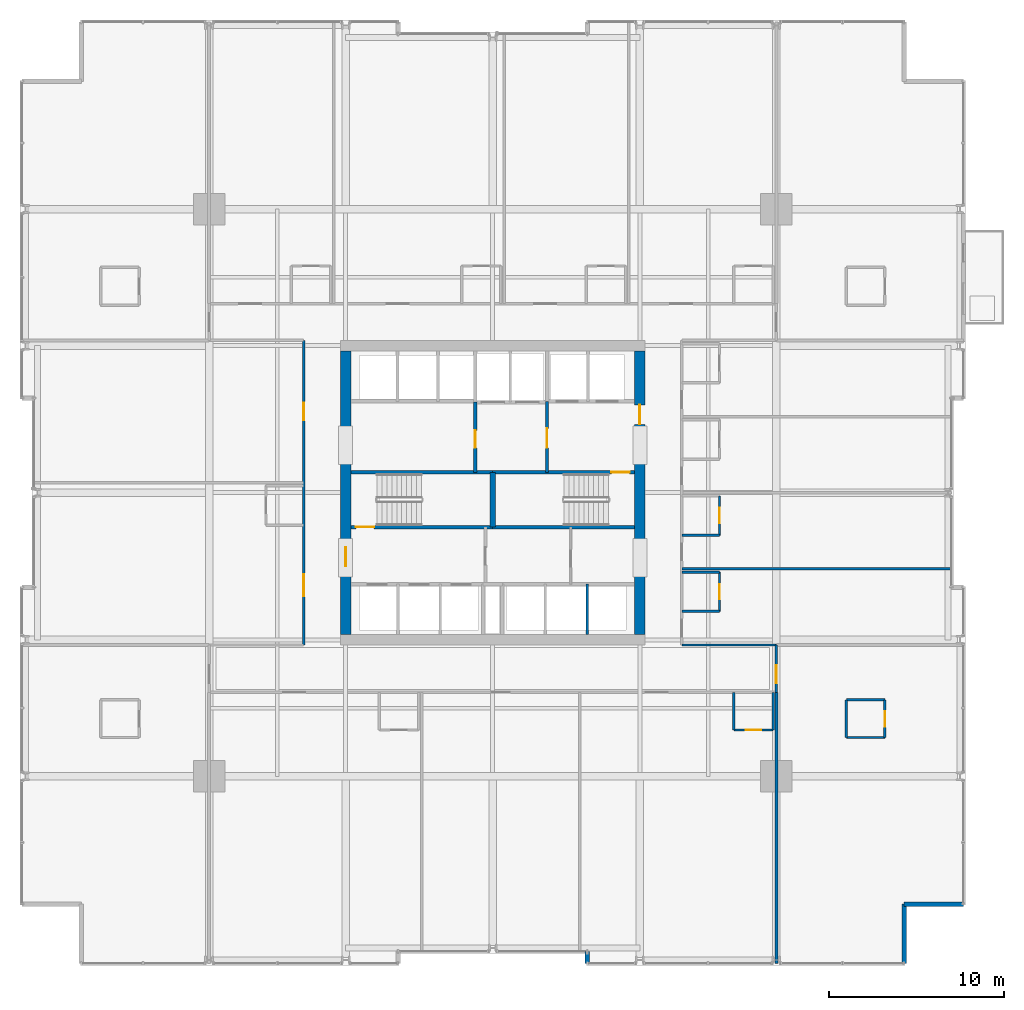
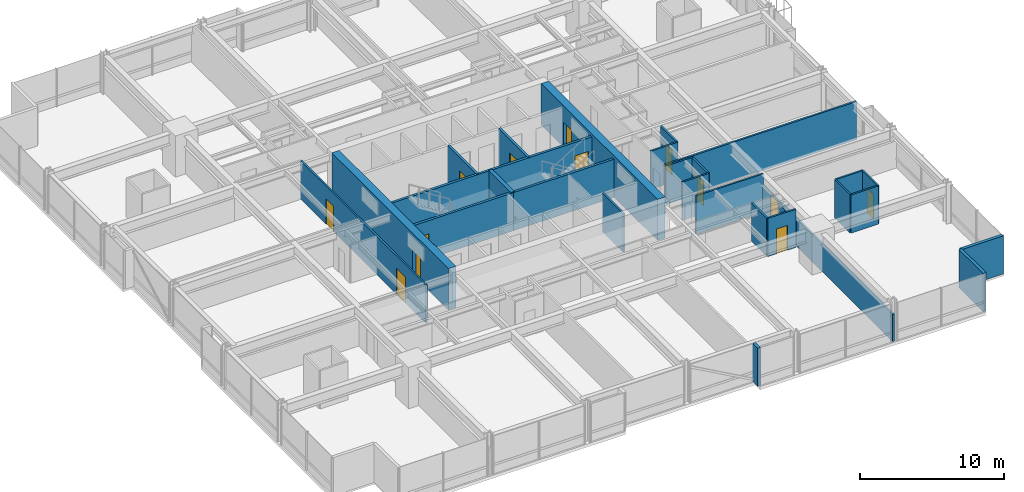
# One storey, part 31 of 37: 30 walls, 13 doors, 13 openings.
"""IFC4 building model written with IfcOpenShell, lengths in metres."""

from ifc_helpers import new_model, si_unit, direction, frame, frame_2d, origin, place, context, subcontext, project, spatial, rectangle, extrude, material, layer, layer_set, type_object, element, fill, save


model = new_model("IFC4")

# Units and contexts
model_context = context("Model", 3, precision=1e-05, world=origin(), true_north=direction((0.0, 1.0)))
body_context = subcontext(model_context, "Body", "Model", "MODEL_VIEW")
ifc_project = project(units=[si_unit("LENGTHUNIT", "METRE"), si_unit("AREAUNIT", "SQUARE_METRE"), si_unit("VOLUMEUNIT", "CUBIC_METRE"), si_unit("PLANEANGLEUNIT", "RADIAN"), si_unit("MASSUNIT", "GRAM", prefix="KILO")], contexts=[model_context])

# Site, building, storey
site_placement = place(None, origin())
site = spatial("IfcSite", under=ifc_project, at=site_placement, CompositionType="ELEMENT")
building_placement = place(site_placement, origin())
building = spatial("IfcBuilding", under=site, at=building_placement, Name="Drelvath Grand Hotel", CompositionType="ELEMENT")
storey_placement = place(building_placement, frame((0.0, 0.0, 43.699951171875)))
storey = spatial("IfcBuildingStorey", under=building, at=storey_placement, Name="L09", CompositionType="ELEMENT", Elevation=43.699951171875)

# Wall, opening, door
ifc_material_1 = material(Name="Concrete C40/50", Category="concrete")
ifc_layer_1 = layer(ifc_material_1, 0.199951171875)
ifc_layer_set_1 = layer_set([ifc_layer_1], Name="Concrete C40/50")
wall_type_1 = type_object("IfcWallType", Name="Core Shaft Fire Wall 200", PredefinedType="SOLIDWALL", material=ifc_layer_set_1)
wall_1_placement = place(storey_placement, frame((-8.10009765625, 25.0400390625, 0.0), z_axis=(0.0, 0.0, 1.0), x_axis=(1.0, 0.0, 0.0)))
wall_1 = element("IfcWall", 1, at=wall_1_placement, inside=storey, type_object=wall_type_1, Name="L09 Stair ST-1 South Wall", PredefinedType="SOLIDWALL", context=body_context, shape_type="SweptSolid", body=[
    extrude(rectangle(XDim=8.10009765625, YDim=0.199951171875, at=frame_2d((4.050048828125, 0.0))), origin(), (0.0, 0.0, 1.0), 3.239990234375),
])
opening_1_placement = place(wall_1_placement, frame((0.280029296875, 0.0, 0.0)))
opening_1 = element("IfcOpeningElement", 2, at=opening_1_placement, cuts=wall_1, Name="Opening D-T1G2-001", PredefinedType="OPENING", context=body_context, shape_type="SweptSolid", body=[
    extrude(rectangle(XDim=1.050048828125, YDim=2.10009765625, at=frame_2d((0.52490234375, 1.050048828125))), frame((0.0, 0.10986328125, 0.0), z_axis=(0.0, -1.0, 0.0), x_axis=(1.0, 0.0, 0.0)), (0.0, 0.0, 1.0), 0.219970703125),
])
ifc_material_2 = material(Name="Painted Steel S275", Category="steel")
door_type_1 = type_object("IfcDoorType", Name="Tower Stairwell Fire Door 1050x2100", OperationType="NOTDEFINED", PredefinedType="DOOR", material=ifc_material_2)
door_1_placement = place(opening_1_placement, origin())
door_1 = element("IfcDoor", 3, at=door_1_placement, inside=storey, type_object=door_type_1, Name="L09 Exit Stair ST-1 Door", OperationType="SINGLE_SWING_LEFT", OverallHeight=2.10009765625, OverallWidth=1.050048828125, PredefinedType="DOOR", context=body_context, shape_type="SweptSolid", body=[
    extrude(rectangle(XDim=1.050048828125, YDim=2.10009765625, at=frame_2d((0.52490234375, 1.050048828125))), frame((0.0, 0.02490234375, 0.0), z_axis=(0.0, -1.0, 0.0), x_axis=(1.0, 0.0, 0.0)), (0.0, 0.0, 1.0), 0.050048828125),
])
fill(opening_1, door_1)

# Walls
for number, where, z_axis, x_axis, name in (
    (4, (-8.10009765625, 28.159912109375, 0.0), (0.0, 0.0, 1.0), (1.0, 0.0, 0.0), "L09 Stair ST-1 North Wall"),
    (5, (0.0, 25.0400390625, 0.0), (0.0, 0.0, 1.0), (1.0, 0.0, 0.0), "L09 Stair ST-2 South Wall"),
):
    element("IfcWall", number, at=place(storey_placement, frame(where, z_axis=z_axis, x_axis=x_axis)), inside=storey, type_object=wall_type_1, Name=name, PredefinedType="SOLIDWALL", context=body_context, shape_type="SweptSolid", body=[
        extrude(rectangle(XDim=8.10009765625, YDim=0.199951171875, at=frame_2d((4.050048828125, 0.0))), origin(), (0.0, 0.0, 1.0), 3.239990234375),
    ])

# Wall, opening, door
wall_2_placement = place(storey_placement, frame((8.10009765625, 28.159912109375, 0.0), z_axis=(0.0, 0.0, 1.0), x_axis=(-1.0, 0.0, 0.0)))
wall_2 = element("IfcWall", 6, at=wall_2_placement, inside=storey, type_object=wall_type_1, Name="L09 Stair ST-2 North Wall", PredefinedType="SOLIDWALL", context=body_context, shape_type="SweptSolid", body=[
    extrude(rectangle(XDim=8.10009765625, YDim=0.199951171875, at=frame_2d((4.050048828125, 0.0))), origin(), (0.0, 0.0, 1.0), 3.239990234375),
])
opening_2_placement = place(wall_2_placement, frame((0.280029296875, 0.0, 0.0)))
opening_2 = element("IfcOpeningElement", 7, at=opening_2_placement, cuts=wall_2, Name="Opening D-T1G2-002", PredefinedType="OPENING", context=body_context, shape_type="SweptSolid", body=[
    extrude(rectangle(XDim=1.050048828125, YDim=2.10009765625, at=frame_2d((0.52490234375, 1.050048828125))), frame((0.0, 0.10986328125, 0.0), z_axis=(0.0, -1.0, 0.0), x_axis=(1.0, 0.0, 0.0)), (0.0, 0.0, 1.0), 0.219970703125),
])
door_2_placement = place(opening_2_placement, origin())
door_2 = element("IfcDoor", 8, at=door_2_placement, inside=storey, type_object=door_type_1, Name="L09 Exit Stair ST-2 Door", OperationType="SINGLE_SWING_LEFT", OverallHeight=2.10009765625, OverallWidth=1.050048828125, PredefinedType="DOOR", context=body_context, shape_type="SweptSolid", body=[
    extrude(rectangle(XDim=1.050048828125, YDim=2.10009765625, at=frame_2d((0.52490234375, 1.050048828125))), frame((0.0, 0.02490234375, 0.0), z_axis=(0.0, -1.0, 0.0), x_axis=(1.0, 0.0, 0.0)), (0.0, 0.0, 1.0), 0.050048828125),
])
fill(opening_2, door_2)

# Walls
ifc_layer_2 = layer(ifc_material_1, 0.300048828125)
ifc_layer_set_2 = layer_set([ifc_layer_2], Name="Concrete C40/50")
wall_type_2 = type_object("IfcWallType", Name="Core Shaft Fire Wall 300", PredefinedType="SOLIDWALL", material=ifc_layer_set_2)
wall_3_placement = place(storey_placement, frame((0.0, 25.0400390625, 0.0), z_axis=(0.0, 0.0, 1.0), x_axis=(0.0, 1.0, 0.0)))
element("IfcWall", 9, at=wall_3_placement, inside=storey, type_object=wall_type_2, Name="L09 Core Stair Divider Wall", PredefinedType="SOLIDWALL", context=body_context, shape_type="SweptSolid", body=[
    extrude(rectangle(XDim=3.119873046875, YDim=0.300048828125, at=frame_2d((1.56005859375, 0.0))), origin(), (0.0, 0.0, 1.0), 3.239990234375),
])
ifc_material_3 = material(Name="Gypsum Fireboard Partition")
ifc_layer_3 = layer(ifc_material_3, 0.1650390625)
ifc_layer_set_3 = layer_set([ifc_layer_3], Name="Gypsum Fireboard Partition")
wall_type_3 = type_object("IfcWallType", Name="Core Shaft Partition 165", PredefinedType="PARTITIONING", material=ifc_layer_set_3)
wall_4_placement = place(storey_placement, frame((5.39990234375, 18.89990234375, 0.0), z_axis=(0.0, 0.0, 1.0), x_axis=(0.0, 1.0, 0.0)))
element("IfcWall", 10, at=wall_4_placement, inside=storey, type_object=wall_type_3, Name="L09 Lift PE-5/6 Divider", PredefinedType="PARTITIONING", context=body_context, shape_type="SweptSolid", body=[
    extrude(rectangle(XDim=2.880126953125, YDim=0.1650390625, at=frame_2d((1.43994140625, 0.0))), origin(), (0.0, 0.0, 1.0), 3.239990234375),
])
ifc_layer_4 = layer(ifc_material_3, 0.135009765625)
ifc_layer_set_4 = layer_set([ifc_layer_4], Name="Gypsum Fireboard Partition")
wall_type_4 = type_object("IfcWallType", Name="Corridor Fire Barrier Wall 135", PredefinedType="PARTITIONING", material=ifc_layer_set_4)
wall_5_placement = place(storey_placement, frame((10.800048828125, 18.300048828125, 0.0), z_axis=(0.0, 0.0, 1.0), x_axis=(1.0, 0.0, 0.0)))
element("IfcWall", 11, at=wall_5_placement, inside=storey, type_object=wall_type_4, Name="L09 SE Spur Inner Wall", PredefinedType="PARTITIONING", context=body_context, shape_type="SweptSolid", body=[
    extrude(rectangle(XDim=5.39990234375, YDim=0.135009765625, at=frame_2d((2.699951171875, 0.0))), origin(), (0.0, 0.0, 1.0), 3.239990234375),
])

# Wall, openings, doors
wall_6_placement = place(storey_placement, frame((-10.800048828125, 18.300048828125, 0.0), z_axis=(0.0, 0.0, 1.0), x_axis=(0.0, 1.0, 0.0)))
wall_6 = element("IfcWall", 12, at=wall_6_placement, inside=storey, type_object=wall_type_4, Name="L09 West Corridor Wall", PredefinedType="PARTITIONING", context=body_context, shape_type="SweptSolid", body=[
    extrude(rectangle(XDim=17.39990234375, YDim=0.135009765625, at=frame_2d((8.699951171875, 0.0))), origin(), (0.0, 0.0, 1.0), 3.239990234375),
])
opening_3_placement = place(wall_6_placement, frame((2.794921875, 0.0, 0.0)))
opening_3 = element("IfcOpeningElement", 13, at=opening_3_placement, cuts=wall_6, Name="Opening D-T1G2-038", PredefinedType="OPENING", context=body_context, shape_type="SweptSolid", body=[
    extrude(rectangle(XDim=1.260009765625, YDim=2.199951171875, at=frame_2d((0.6298828125, 1.10009765625))), frame((0.0, 0.077392578125, 0.0), z_axis=(0.0, -1.0, 0.0), x_axis=(1.0, 0.0, 0.0)), (0.0, 0.0, 1.0), 0.155029296875),
])
opening_4_placement = place(wall_6_placement, frame((12.830078125, 0.0, 0.0)))
opening_4 = element("IfcOpeningElement", 14, at=opening_4_placement, cuts=wall_6, Name="Opening D-T1G2-039", PredefinedType="OPENING", context=body_context, shape_type="SweptSolid", body=[
    extrude(rectangle(XDim=1.02001953125, YDim=2.14990234375, at=frame_2d((0.510009765625, 1.074951171875))), frame((0.0, 0.077392578125, 0.0), z_axis=(0.0, -1.0, 0.0), x_axis=(1.0, 0.0, 0.0)), (0.0, 0.0, 1.0), 0.155029296875),
])
ifc_material_4 = material(Name="Hardwood Walnut Timber", Category="wood")
door_type_2 = type_object("IfcDoorType", Name="Amenity Meeting Fire Door 1020x2150", OperationType="NOTDEFINED", PredefinedType="DOOR", material=ifc_material_4)
door_3_placement = place(opening_4_placement, origin())
door_3 = element("IfcDoor", 15, at=door_3_placement, inside=storey, type_object=door_type_2, Name="L09 Spa Treatment Room Entry Door", OperationType="SINGLE_SWING_RIGHT", OverallHeight=2.14990234375, OverallWidth=1.02001953125, PredefinedType="DOOR", context=body_context, shape_type="SweptSolid", body=[
    extrude(rectangle(XDim=1.02001953125, YDim=2.14990234375, at=frame_2d((0.510009765625, 1.074951171875))), frame((0.0, 0.02490234375, 0.0), z_axis=(0.0, -1.0, 0.0), x_axis=(1.0, 0.0, 0.0)), (0.0, 0.0, 1.0), 0.050048828125),
])
fill(opening_4, door_3)
door_type_3 = type_object("IfcDoorType", Name="Suite Entrance Fire Door 1260x2200", OperationType="NOTDEFINED", PredefinedType="DOOR", material=ifc_material_4)
door_4_placement = place(opening_3_placement, origin())
door_4 = element("IfcDoor", 16, at=door_4_placement, inside=storey, type_object=door_type_3, Name="L09 Corner Suite Entry Door", OperationType="SINGLE_SWING_LEFT", OverallHeight=2.199951171875, OverallWidth=1.260009765625, PredefinedType="DOOR", context=body_context, shape_type="SweptSolid", body=[
    extrude(rectangle(XDim=1.260009765625, YDim=2.199951171875, at=frame_2d((0.6298828125, 1.10009765625))), frame((0.0, 0.02490234375, 0.0), z_axis=(0.0, -1.0, 0.0), x_axis=(1.0, 0.0, 0.0)), (0.0, 0.0, 1.0), 0.050048828125),
])
fill(opening_3, door_4)

# Wall, opening, door
wall_7_placement = place(storey_placement, frame((16.199951171875, 15.60009765625, 0.0), z_axis=(0.0, 0.0, 1.0), x_axis=(0.0, 1.0, 0.0)))
wall_7 = element("IfcWall", 17, at=wall_7_placement, inside=storey, type_object=wall_type_4, Name="L09 South Corridor East End", PredefinedType="PARTITIONING", context=body_context, shape_type="SweptSolid", body=[
    extrude(rectangle(XDim=2.699951171875, YDim=0.135009765625, at=frame_2d((1.35009765625, 0.0))), origin(), (0.0, 0.0, 1.0), 2.29833984375),
])
opening_5_placement = place(wall_7_placement, frame((0.52001953125, 0.0, 0.0)))
opening_5 = element("IfcOpeningElement", 18, at=opening_5_placement, cuts=wall_7, Name="Opening D-T1G2-019", PredefinedType="OPENING", context=body_context, shape_type="SweptSolid", body=[
    extrude(rectangle(XDim=1.02001953125, YDim=2.14990234375, at=frame_2d((0.510009765625, 1.074951171875))), frame((0.0, 0.077392578125, 0.0), z_axis=(0.0, -1.0, 0.0), x_axis=(1.0, 0.0, 0.0)), (0.0, 0.0, 1.0), 0.155029296875),
])
door_5_placement = place(opening_5_placement, origin())
door_5 = element("IfcDoor", 19, at=door_5_placement, inside=storey, type_object=door_type_2, Name="L09 Corner Suite Entry Door", OperationType="SINGLE_SWING_RIGHT", OverallHeight=2.14990234375, OverallWidth=1.02001953125, PredefinedType="DOOR", context=body_context, shape_type="SweptSolid", body=[
    extrude(rectangle(XDim=1.02001953125, YDim=2.14990234375, at=frame_2d((0.510009765625, 1.074951171875))), frame((0.0, 0.02490234375, 0.0), z_axis=(0.0, -1.0, 0.0), x_axis=(1.0, 0.0, 0.0)), (0.0, 0.0, 1.0), 0.050048828125),
])
fill(opening_5, door_5)

# Walls
ifc_material_5 = material(Name="Moisture-Resistant Gypsum Board")
ifc_layer_5 = layer(ifc_material_5, 0.139892578125)
ifc_layer_set_5 = layer_set([ifc_layer_5], Name="Moisture-Resistant Gypsum Board")
wall_type_5 = type_object("IfcWallType", Name="En-Suite Plumbing Wall 140", PredefinedType="PLUMBINGWALL", material=ifc_layer_set_5)
for number, where, z_axis, x_axis, name in (
    (20, (20.199951171875, 13.02001953125, 0.0), (0.0, 0.0, 1.0), (1.0, 0.0, 0.0), "L09 Corner En-Suite South"),
    (21, (20.199951171875, 15.169921875, 0.0), (0.0, 0.0, 1.0), (1.0, 0.0, 0.0), "L09 Corner En-Suite North"),
):
    element("IfcWall", number, at=place(storey_placement, frame(where, z_axis=z_axis, x_axis=x_axis)), inside=storey, type_object=wall_type_5, Name=name, PredefinedType="PLUMBINGWALL", context=body_context, shape_type="SweptSolid", body=[
        extrude(rectangle(XDim=2.199951171875, YDim=0.139892578125, at=frame_2d((1.10009765625, 0.0))), origin(), (0.0, 0.0, 1.0), 3.239990234375),
    ])
wall_8_placement = place(storey_placement, frame((20.199951171875, 13.02001953125, 0.0), z_axis=(0.0, 0.0, 1.0), x_axis=(0.0, 1.0, 0.0)))
element("IfcWall", 22, at=wall_8_placement, inside=storey, type_object=wall_type_5, Name="L09 Corner En-Suite West", PredefinedType="PLUMBINGWALL", context=body_context, shape_type="SweptSolid", body=[
    extrude(rectangle(XDim=2.14990234375, YDim=0.139892578125, at=frame_2d((1.074951171875, 0.0))), origin(), (0.0, 0.0, 1.0), 3.239990234375),
])

# Wall, opening, door
wall_9_placement = place(storey_placement, frame((22.39990234375, 13.02001953125, 0.0), z_axis=(0.0, 0.0, 1.0), x_axis=(0.0, 1.0, 0.0)))
wall_9 = element("IfcWall", 23, at=wall_9_placement, inside=storey, type_object=wall_type_5, Name="L09 Corner En-Suite East", PredefinedType="PLUMBINGWALL", context=body_context, shape_type="SweptSolid", body=[
    extrude(rectangle(XDim=2.14990234375, YDim=0.139892578125, at=frame_2d((1.074951171875, 0.0))), origin(), (0.0, 0.0, 1.0), 3.239990234375),
])
opening_6_placement = place(wall_9_placement, frame((0.6201171875, 0.0, 0.0)))
opening_6 = element("IfcOpeningElement", 24, at=opening_6_placement, cuts=wall_9, Name="Opening D-T1G2-018", PredefinedType="OPENING", context=body_context, shape_type="SweptSolid", body=[
    extrude(rectangle(XDim=0.8798828125, YDim=2.10009765625, at=frame_2d((0.43994140625, 1.050048828125))), frame((0.0, 0.079833984375, 0.0), z_axis=(0.0, -1.0, 0.0), x_axis=(1.0, 0.0, 0.0)), (0.0, 0.0, 1.0), 0.159912109375),
])
door_type_4 = type_object("IfcDoorType", Name="En-Suite Bathroom Door 880x2100", OperationType="NOTDEFINED", PredefinedType="DOOR", material=ifc_material_4)
door_6_placement = place(opening_6_placement, origin())
door_6 = element("IfcDoor", 25, at=door_6_placement, inside=storey, type_object=door_type_4, Name="L09 Corner En-Suite Door", OperationType="SINGLE_SWING_LEFT", OverallHeight=2.10009765625, OverallWidth=0.8798828125, PredefinedType="DOOR", context=body_context, shape_type="SweptSolid", body=[
    extrude(rectangle(XDim=0.8798828125, YDim=2.10009765625, at=frame_2d((0.43994140625, 1.050048828125))), frame((0.0, 0.02490234375, 0.0), z_axis=(0.0, -1.0, 0.0), x_axis=(1.0, 0.0, 0.0)), (0.0, 0.0, 1.0), 0.050048828125),
])
fill(opening_6, door_6)

# Walls
wall_10_placement = place(storey_placement, frame((13.77001953125, 15.60009765625, 0.0), z_axis=(0.0, 0.0, 1.0), x_axis=(0.0, -1.0, 0.0)))
element("IfcWall", 26, at=wall_10_placement, inside=storey, type_object=wall_type_5, Name="L09 En-Suite Left Wall", PredefinedType="PLUMBINGWALL", context=body_context, shape_type="SweptSolid", body=[
    extrude(rectangle(XDim=2.150146484375, YDim=0.139892578125, at=frame_2d((1.0751953125, 0.0))), origin(), (0.0, 0.0, 1.0), 3.239990234375),
])
wall_11_placement = place(storey_placement, frame((16.02001953125, 15.60009765625, 0.0), z_axis=(0.0, 0.0, 1.0), x_axis=(0.0, -1.0, 0.0)))
element("IfcWall", 27, at=wall_11_placement, inside=storey, type_object=wall_type_5, Name="L09 En-Suite Right Wall", PredefinedType="PLUMBINGWALL", context=body_context, shape_type="SweptSolid", body=[
    extrude(rectangle(XDim=2.150146484375, YDim=0.139892578125, at=frame_2d((1.0751953125, 0.0))), origin(), (0.0, 0.0, 1.0), 2.29833984375),
])

# Wall, opening, door
wall_12_placement = place(storey_placement, frame((13.77001953125, 13.449951171875, 0.0), z_axis=(0.0, 0.0, 1.0), x_axis=(1.0, 0.0, 0.0)))
wall_12 = element("IfcWall", 28, at=wall_12_placement, inside=storey, type_object=wall_type_5, Name="L09 En-Suite Front Wall", PredefinedType="PLUMBINGWALL", context=body_context, shape_type="SweptSolid", body=[
    extrude(rectangle(XDim=2.25, YDim=0.139892578125, at=frame_2d((1.125, 0.0))), origin(), (0.0, 0.0, 1.0), 3.239990234375),
])
opening_7_placement = place(wall_12_placement, frame((0.68505859375, 0.0, 0.0)))
opening_7 = element("IfcOpeningElement", 29, at=opening_7_placement, cuts=wall_12, Name="Opening D-T1G2-027", PredefinedType="OPENING", context=body_context, shape_type="SweptSolid", body=[
    extrude(rectangle(XDim=0.8798828125, YDim=2.10009765625, at=frame_2d((0.43994140625, 1.050048828125))), frame((0.0, 0.079833984375, 0.0), z_axis=(0.0, -1.0, 0.0), x_axis=(1.0, 0.0, 0.0)), (0.0, 0.0, 1.0), 0.159912109375),
])
door_7_placement = place(opening_7_placement, origin())
door_7 = element("IfcDoor", 30, at=door_7_placement, inside=storey, type_object=door_type_4, Name="L09 En-Suite Bathroom Door", OperationType="SINGLE_SWING_RIGHT", OverallHeight=2.10009765625, OverallWidth=0.8798828125, PredefinedType="DOOR", context=body_context, shape_type="SweptSolid", body=[
    extrude(rectangle(XDim=0.8798828125, YDim=2.10009765625, at=frame_2d((0.43994140625, 1.050048828125))), frame((0.0, 0.02490234375, 0.0), z_axis=(0.0, -1.0, 0.0), x_axis=(1.0, 0.0, 0.0)), (0.0, 0.0, 1.0), 0.050048828125),
])
fill(opening_7, door_7)

# Walls
for number, where, z_axis, x_axis, name in (
    (31, (10.800048828125, 20.219970703125, 0.0), (0.0, 0.0, 1.0), (1.0, 0.0, 0.0), "L09 En-Suite Left Wall"),
    (32, (10.800048828125, 22.469970703125, 0.0), (0.0, 0.0, 1.0), (1.0, 0.0, 0.0), "L09 En-Suite Right Wall"),
):
    element("IfcWall", number, at=place(storey_placement, frame(where, z_axis=z_axis, x_axis=x_axis)), inside=storey, type_object=wall_type_5, Name=name, PredefinedType="PLUMBINGWALL", context=body_context, shape_type="SweptSolid", body=[
        extrude(rectangle(XDim=2.14990234375, YDim=0.139892578125, at=frame_2d((1.074951171875, 0.0))), origin(), (0.0, 0.0, 1.0), 3.239990234375),
    ])

# Wall, opening, door
wall_13_placement = place(storey_placement, frame((12.949951171875, 20.219970703125, 0.0), z_axis=(0.0, 0.0, 1.0), x_axis=(0.0, 1.0, 0.0)))
wall_13 = element("IfcWall", 33, at=wall_13_placement, inside=storey, type_object=wall_type_5, Name="L09 En-Suite Front Wall", PredefinedType="PLUMBINGWALL", context=body_context, shape_type="SweptSolid", body=[
    extrude(rectangle(XDim=2.25, YDim=0.139892578125, at=frame_2d((1.125, 0.0))), origin(), (0.0, 0.0, 1.0), 3.239990234375),
])
opening_8_placement = place(wall_13_placement, frame((0.68505859375, 0.0, 0.0)))
opening_8 = element("IfcOpeningElement", 34, at=opening_8_placement, cuts=wall_13, Name="Opening D-T1G2-040", PredefinedType="OPENING", context=body_context, shape_type="SweptSolid", body=[
    extrude(rectangle(XDim=0.8798828125, YDim=2.10009765625, at=frame_2d((0.43994140625, 1.050048828125))), frame((0.0, 0.079833984375, 0.0), z_axis=(0.0, -1.0, 0.0), x_axis=(1.0, 0.0, 0.0)), (0.0, 0.0, 1.0), 0.159912109375),
])
door_8_placement = place(opening_8_placement, origin())
door_8 = element("IfcDoor", 35, at=door_8_placement, inside=storey, type_object=door_type_4, Name="L09 En-Suite Bathroom Door", OperationType="SINGLE_SWING_LEFT", OverallHeight=2.10009765625, OverallWidth=0.8798828125, PredefinedType="DOOR", context=body_context, shape_type="SweptSolid", body=[
    extrude(rectangle(XDim=0.8798828125, YDim=2.10009765625, at=frame_2d((0.43994140625, 1.050048828125))), frame((0.0, 0.02490234375, 0.0), z_axis=(0.0, -1.0, 0.0), x_axis=(1.0, 0.0, 0.0)), (0.0, 0.0, 1.0), 0.050048828125),
])
fill(opening_8, door_8)

# Wall
wall_14_placement = place(storey_placement, frame((10.800048828125, 24.570068359375, 0.0), z_axis=(0.0, 0.0, 1.0), x_axis=(1.0, 0.0, 0.0)))
element("IfcWall", 36, at=wall_14_placement, inside=storey, type_object=wall_type_5, Name="L09 En-Suite Left Wall", PredefinedType="PLUMBINGWALL", context=body_context, shape_type="SweptSolid", body=[
    extrude(rectangle(XDim=2.14990234375, YDim=0.139892578125, at=frame_2d((1.074951171875, 0.0))), origin(), (0.0, 0.0, 1.0), 3.239990234375),
])

# Wall, opening, door
wall_15_placement = place(storey_placement, frame((12.949951171875, 24.570068359375, 0.0), z_axis=(0.0, 0.0, 1.0), x_axis=(0.0, 1.0, 0.0)))
wall_15 = element("IfcWall", 37, at=wall_15_placement, inside=storey, type_object=wall_type_5, Name="L09 En-Suite Front Wall", PredefinedType="PLUMBINGWALL", context=body_context, shape_type="SweptSolid", body=[
    extrude(rectangle(XDim=2.25, YDim=0.139892578125, at=frame_2d((1.125, 0.0))), origin(), (0.0, 0.0, 1.0), 3.239990234375),
])
opening_9_placement = place(wall_15_placement, frame((0.68505859375, 0.0, 0.0)))
opening_9 = element("IfcOpeningElement", 38, at=opening_9_placement, cuts=wall_15, Name="Opening D-T1G2-042", PredefinedType="OPENING", context=body_context, shape_type="SweptSolid", body=[
    extrude(rectangle(XDim=0.8798828125, YDim=2.10009765625, at=frame_2d((0.43994140625, 1.050048828125))), frame((0.0, 0.079833984375, 0.0), z_axis=(0.0, -1.0, 0.0), x_axis=(1.0, 0.0, 0.0)), (0.0, 0.0, 1.0), 0.159912109375),
])
door_9_placement = place(opening_9_placement, origin())
door_9 = element("IfcDoor", 39, at=door_9_placement, inside=storey, type_object=door_type_4, Name="L09 En-Suite Bathroom Door", OperationType="SINGLE_SWING_LEFT", OverallHeight=2.10009765625, OverallWidth=0.8798828125, PredefinedType="DOOR", context=body_context, shape_type="SweptSolid", body=[
    extrude(rectangle(XDim=0.8798828125, YDim=2.10009765625, at=frame_2d((0.43994140625, 1.050048828125))), frame((0.0, 0.02490234375, 0.0), z_axis=(0.0, -1.0, 0.0), x_axis=(1.0, 0.0, 0.0)), (0.0, 0.0, 1.0), 0.050048828125),
])
fill(opening_9, door_9)

ifc_layer_6 = layer(ifc_material_3, 0.179931640625)
ifc_layer_set_6 = layer_set([ifc_layer_6], Name="Gypsum Fireboard Partition")
wall_type_6 = type_object("IfcWallType", Name="FSAE Smoke Lobby Fire Wall 180", PredefinedType="SOLIDWALL", material=ifc_layer_set_6)
wall_16_placement = place(storey_placement, frame((3.10009765625, 28.159912109375, 0.0), z_axis=(0.0, 0.0, 1.0), x_axis=(0.0, 1.0, 0.0)))
wall_16 = element("IfcWall", 40, at=wall_16_placement, inside=storey, type_object=wall_type_6, Name="L09 FSAE Smoke Lobby West Wall", PredefinedType="SOLIDWALL", context=body_context, shape_type="SweptSolid", body=[
    extrude(rectangle(XDim=4.06005859375, YDim=0.179931640625, at=frame_2d((2.030029296875, 0.0))), origin(), (0.0, 0.0, 1.0), 3.239990234375),
])
opening_10_placement = place(wall_16_placement, frame((1.39990234375, 0.0, 0.0)))
opening_10 = element("IfcOpeningElement", 41, at=opening_10_placement, cuts=wall_16, Name="Opening D-T1G2-005", PredefinedType="OPENING", context=body_context, shape_type="SweptSolid", body=[
    extrude(rectangle(XDim=1.1201171875, YDim=2.10009765625, at=frame_2d((0.56005859375, 1.050048828125))), frame((0.0, 0.099853515625, 0.0), z_axis=(0.0, -1.0, 0.0), x_axis=(1.0, 0.0, 0.0)), (0.0, 0.0, 1.0), 0.199951171875),
])
door_type_5 = type_object("IfcDoorType", Name="FSAE Smoke Lobby Fire Door 1120x2100", OperationType="NOTDEFINED", PredefinedType="DOOR", material=ifc_material_2)
door_10_placement = place(opening_10_placement, origin())
door_10 = element("IfcDoor", 42, at=door_10_placement, inside=storey, type_object=door_type_5, Name="L09 FSAE Lobby Service Vestibule Door", OperationType="SINGLE_SWING_RIGHT", OverallHeight=2.10009765625, OverallWidth=1.1201171875, PredefinedType="DOOR", context=body_context, shape_type="SweptSolid", body=[
    extrude(rectangle(XDim=1.1201171875, YDim=2.10009765625, at=frame_2d((0.56005859375, 1.050048828125))), frame((0.0, 0.02490234375, 0.0), z_axis=(0.0, -1.0, 0.0), x_axis=(1.0, 0.0, 0.0)), (0.0, 0.0, 1.0), 0.050048828125),
])
fill(opening_10, door_10)

wall_17_placement = place(storey_placement, frame((-1.0, 28.159912109375, 0.0), z_axis=(0.0, 0.0, 1.0), x_axis=(0.0, 1.0, 0.0)))
wall_17 = element("IfcWall", 43, at=wall_17_placement, inside=storey, type_object=wall_type_6, Name="L09 Service Vestibule West Wall", PredefinedType="SOLIDWALL", context=body_context, shape_type="SweptSolid", body=[
    extrude(rectangle(XDim=4.02001953125, YDim=0.179931640625, at=frame_2d((2.010009765625, 0.0))), origin(), (0.0, 0.0, 1.0), 3.239990234375),
])
opening_11_placement = place(wall_17_placement, frame((1.39990234375, 0.0, 0.0)))
opening_11 = element("IfcOpeningElement", 44, at=opening_11_placement, cuts=wall_17, Name="Opening D-T1G2-009", PredefinedType="OPENING", context=body_context, shape_type="SweptSolid", body=[
    extrude(rectangle(XDim=1.0, YDim=2.10009765625, at=frame_2d((0.5, 1.050048828125))), frame((0.0, 0.099853515625, 0.0), z_axis=(0.0, -1.0, 0.0), x_axis=(1.0, 0.0, 0.0)), (0.0, 0.0, 1.0), 0.199951171875),
])
door_type_6 = type_object("IfcDoorType", Name="Core Service Fire Door 1000x2100", OperationType="NOTDEFINED", PredefinedType="DOOR", material=ifc_material_2)
door_11_placement = place(opening_11_placement, origin())
door_11 = element("IfcDoor", 45, at=door_11_placement, inside=storey, type_object=door_type_6, Name="L09 Service Vestibule West Door", OperationType="SINGLE_SWING_LEFT", OverallHeight=2.10009765625, OverallWidth=1.0, PredefinedType="DOOR", context=body_context, shape_type="SweptSolid", body=[
    extrude(rectangle(XDim=1.0, YDim=2.10009765625, at=frame_2d((0.5, 1.050048828125))), frame((0.0, 0.02490234375, 0.0), z_axis=(0.0, -1.0, 0.0), x_axis=(1.0, 0.0, 0.0)), (0.0, 0.0, 1.0), 0.050048828125),
])
fill(opening_11, door_11)

# Wall
ifc_material_6 = material(Name="Gypsum Acoustic Partition")
ifc_layer_7 = layer(ifc_material_6, 0.14990234375)
ifc_layer_set_7 = layer_set([ifc_layer_7], Name="Gypsum Acoustic Partition")
wall_type_7 = type_object("IfcWallType", Name="Guestroom Demising Wall 150", PredefinedType="PARTITIONING", material=ifc_layer_set_7)
wall_18_placement = place(storey_placement, frame((10.800048828125, 22.64990234375, 0.0), z_axis=(0.0, 0.0, 1.0), x_axis=(1.0, 0.0, 0.0)))
element("IfcWall", 46, at=wall_18_placement, inside=storey, type_object=wall_type_7, Name="L09 East Demising 1", PredefinedType="PARTITIONING", context=body_context, shape_type="SweptSolid", body=[
    extrude(rectangle(XDim=15.39990234375, YDim=0.14990234375, at=frame_2d((7.699951171875, 0.0))), origin(), (0.0, 0.0, 1.0), 3.239990234375),
])

# Wall, opening, door
ifc_material_7 = material(Name="Concrete f'c 70 MPa", Category="concrete")
ifc_layer_8 = layer(ifc_material_7, 0.60009765625)
ifc_layer_set_8 = layer_set([ifc_layer_8], Name="Concrete f'c 70 MPa")
wall_type_8 = type_object("IfcWallType", Name="Lower Core RC Shear Wall 600", PredefinedType="SHEAR", material=ifc_layer_set_8)
wall_19_placement = place(storey_placement, frame((8.39990234375, 35.10009765625, 0.0), z_axis=(0.0, 0.0, 1.0), x_axis=(0.0, -1.0, 0.0)))
wall_19 = element("IfcWall", 47, at=wall_19_placement, inside=storey, type_object=wall_type_8, Name="L09 Central Core Shear Wall E", PredefinedType="SHEAR", context=body_context, shape_type="SweptSolid", body=[
    extrude(rectangle(XDim=16.2001953125, YDim=0.60009765625, at=frame_2d((8.10009765625, 0.0))), origin(), (0.0, 0.0, 1.0), 3.5),
])
opening_12_placement = place(wall_19_placement, frame((3.080078125, 0.0, 0.0)))
opening_12 = element("IfcOpeningElement", 48, at=opening_12_placement, cuts=wall_19, Name="Opening D-T1G2-006", PredefinedType="OPENING", context=body_context, shape_type="SweptSolid", body=[
    extrude(rectangle(XDim=1.1201171875, YDim=2.10009765625, at=frame_2d((0.56005859375, 1.050048828125))), frame((0.0, 0.31005859375, 0.0), z_axis=(0.0, -1.0, 0.0), x_axis=(1.0, 0.0, 0.0)), (0.0, 0.0, 1.0), 0.6201171875),
])
door_12_placement = place(opening_12_placement, origin())
door_12 = element("IfcDoor", 49, at=door_12_placement, inside=storey, type_object=door_type_5, Name="L09 FSAE Lobby East Corridor Door", OperationType="SINGLE_SWING_LEFT", OverallHeight=2.10009765625, OverallWidth=1.1201171875, PredefinedType="DOOR", context=body_context, shape_type="SweptSolid", body=[
    extrude(rectangle(XDim=1.1201171875, YDim=2.10009765625, at=frame_2d((0.56005859375, 1.050048828125))), frame((0.0, 0.02490234375, 0.0), z_axis=(0.0, -1.0, 0.0), x_axis=(1.0, 0.0, 0.0)), (0.0, 0.0, 1.0), 0.050048828125),
])
fill(opening_12, door_12)

wall_20_placement = place(storey_placement, frame((-8.39990234375, 18.89990234375, 0.0), z_axis=(0.0, 0.0, 1.0), x_axis=(0.0, 1.0, 0.0)))
wall_20 = element("IfcWall", 50, at=wall_20_placement, inside=storey, type_object=wall_type_8, Name="L09 Central Core Shear Wall W", PredefinedType="SHEAR", context=body_context, shape_type="SweptSolid", body=[
    extrude(rectangle(XDim=16.2001953125, YDim=0.60009765625, at=frame_2d((8.10009765625, 0.0))), origin(), (0.0, 0.0, 1.0), 3.5),
])
opening_13_placement = place(wall_20_placement, frame((3.89990234375, 0.0, 0.0)))
opening_13 = element("IfcOpeningElement", 51, at=opening_13_placement, cuts=wall_20, Name="Opening D-T1G2-014", PredefinedType="OPENING", context=body_context, shape_type="SweptSolid", body=[
    extrude(rectangle(XDim=1.080078125, YDim=2.0400390625, at=frame_2d((0.5400390625, 1.02001953125))), frame((0.0, 0.31005859375, 0.0), z_axis=(0.0, -1.0, 0.0), x_axis=(1.0, 0.0, 0.0)), (0.0, 0.0, 1.0), 0.6201171875),
])
door_type_7 = type_object("IfcDoorType", Name="Core Corridor Fire Door 1080x2100", OperationType="NOTDEFINED", PredefinedType="DOOR", material=ifc_material_2)
door_13_placement = place(opening_13_placement, origin())
door_13 = element("IfcDoor", 52, at=door_13_placement, inside=storey, type_object=door_type_7, Name="L09 Low-Rise Lobby West Door", OperationType="SINGLE_SWING_LEFT", OverallHeight=2.0400390625, OverallWidth=1.080078125, PredefinedType="DOOR", context=body_context, shape_type="SweptSolid", body=[
    extrude(rectangle(XDim=1.080078125, YDim=2.0400390625, at=frame_2d((0.5400390625, 1.02001953125))), frame((0.0, 0.02490234375, 0.0), z_axis=(0.0, -1.0, 0.0), x_axis=(1.0, 0.0, 0.0)), (0.0, 0.0, 1.0), 0.050048828125),
])
fill(opening_13, door_13)

# Walls
ifc_layer_9 = layer(ifc_material_6, 0.1650390625)
ifc_layer_set_9 = layer_set([ifc_layer_9], Name="Gypsum Acoustic Partition")
wall_type_9 = type_object("IfcWallType", Name="Suite Demising Wall 165", PredefinedType="PARTITIONING", material=ifc_layer_set_9)
wall_21_placement = place(storey_placement, frame((16.199951171875, 0.1201171875, 0.0), z_axis=(0.0, 0.0, 1.0), x_axis=(0.0, 1.0, 0.0)))
element("IfcWall", 53, at=wall_21_placement, inside=storey, type_object=wall_type_9, Name="L09 SE Wing Boundary Wall", PredefinedType="PARTITIONING", context=body_context, shape_type="SweptSolid", body=[
    extrude(rectangle(XDim=15.47998046875, YDim=0.1650390625, at=frame_2d((7.739990234375, 0.0))), origin(), (0.0, 0.0, 1.0), 2.29833984375),
])
ifc_material_8 = material(Name="Pale-Metal Insulated Aluminium Spandrel Assembly", Category="aluminium")
ifc_layer_10 = layer(ifc_material_8, 0.239990234375)
ifc_layer_set_10 = layer_set([ifc_layer_10], Name="Pale-Metal Insulated Aluminium Spandrel Assembly")
wall_type_10 = type_object("IfcWallType", Name="Tower Insulated Metal Spandrel Closure Wall 240", PredefinedType="STANDARD", material=ifc_layer_set_10)
for number, where, z_axis, x_axis, name in (
    (54, (26.8798828125, 3.5, 0.0), (0.0, 0.0, 1.0), (-1.0, 0.0, 0.0), "L09 Notched Corner Return Spandrel Wall CSE1"),
    (55, (23.5, 3.5, 0.0), (0.0, 0.0, 1.0), (0.0, -1.0, 0.0), "L09 Notched Corner Return Spandrel Wall CSE2"),
):
    element("IfcWall", number, at=place(storey_placement, frame(where, z_axis=z_axis, x_axis=x_axis)), inside=storey, type_object=wall_type_10, Name=name, PredefinedType="STANDARD", context=body_context, shape_type="SweptSolid", body=[
        extrude(rectangle(XDim=3.3798828125, YDim=0.239990234375, at=frame_2d((1.68994140625, 0.0))), origin(), (0.0, 0.0, 1.0), 3.239990234375),
    ])
wall_22_placement = place(storey_placement, frame((5.39990234375, 0.1201171875, 0.0), z_axis=(0.0, 0.0, 1.0), x_axis=(0.0, 1.0, 0.0)))
element("IfcWall", 56, at=wall_22_placement, inside=storey, type_object=wall_type_10, Name="L09 Notched Corner Return Spandrel Wall RS1", PredefinedType="STANDARD", context=body_context, shape_type="SweptSolid", body=[
    extrude(rectangle(XDim=0.679931640625, YDim=0.239990234375, at=frame_2d((0.33984375, 0.0))), origin(), (0.0, 0.0, 1.0), 3.239990234375),
])

save(model, "model.ifc")
